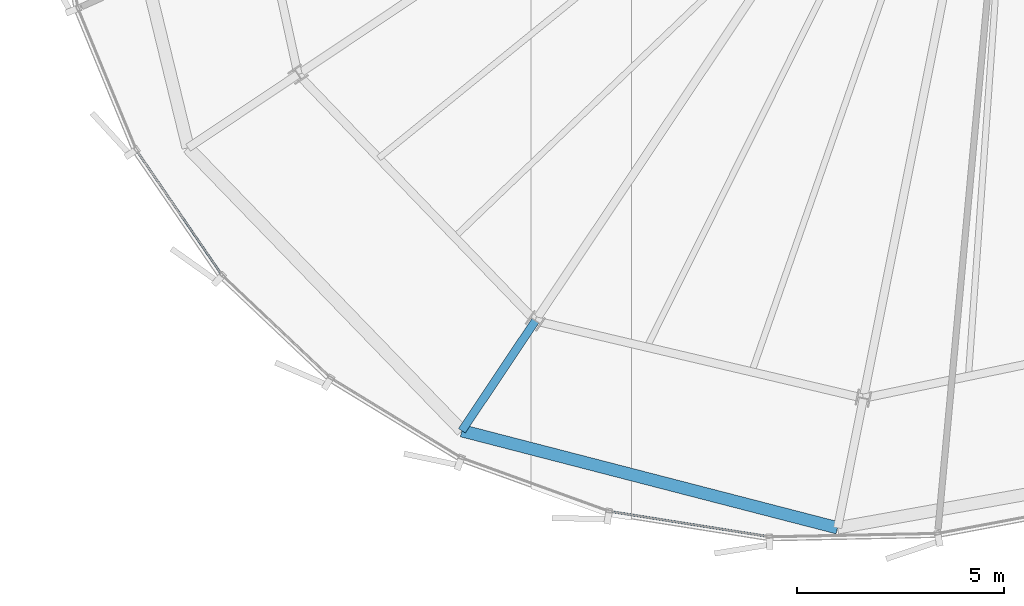
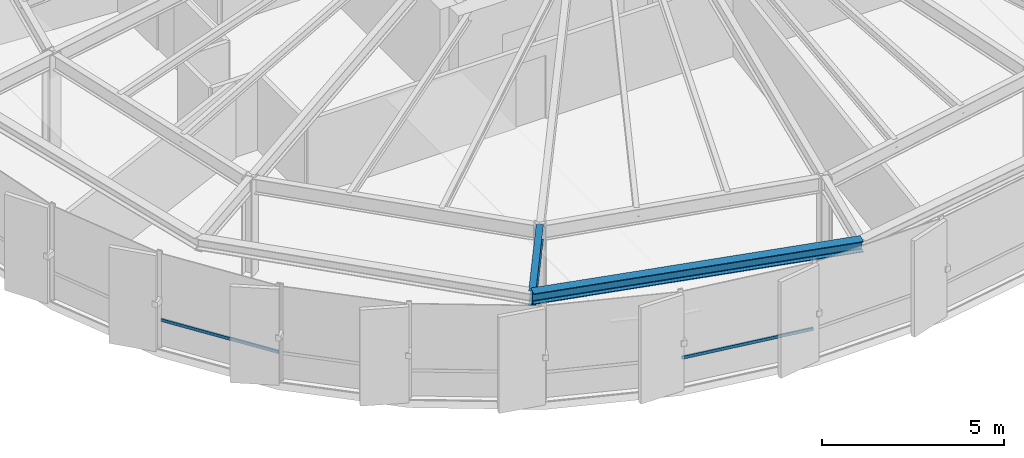
# One storey, part 3 of 36: 2 beams, 2 members, 2 elements without a shape of their own.
"""IFC4 building model written with IfcOpenShell, lengths in metres."""

from ifc_helpers import new_model, si_unit, direction, frame, origin, origin_2d, place, context, subcontext, project, spatial, hollow_rectangle, i_section, extrude, source, transform, mapped, material, layer, layer_set, material_profile, profile_set, type_object, element, aggregate, save


model = new_model("IFC4")

# Units and contexts
model_context = context("Model", 3, precision=1e-05, world=origin(), true_north=direction((0.0, 1.0)))
body_context = subcontext(model_context, "Body", "Model", "MODEL_VIEW")
ifc_project = project(units=[si_unit("LENGTHUNIT", "METRE"), si_unit("AREAUNIT", "SQUARE_METRE"), si_unit("VOLUMEUNIT", "CUBIC_METRE"), si_unit("PLANEANGLEUNIT", "RADIAN"), si_unit("MASSUNIT", "GRAM", prefix="KILO"), si_unit("THERMODYNAMICTEMPERATUREUNIT", "KELVIN")], contexts=[model_context])

# Site, building, storey
site_placement = place(None, origin())
site = spatial("IfcSite", under=ifc_project, at=site_placement, CompositionType="ELEMENT")
building_placement = place(site_placement, origin())
building = spatial("IfcBuilding", under=site, at=building_placement, Name="Kethvar Cultural Tower", CompositionType="ELEMENT")
storey_placement = place(building_placement, frame((0.0, 0.0, 197.39990234375)))
storey = spatial("IfcBuildingStorey", under=building, at=storey_placement, Name="L51", CompositionType="ELEMENT", Elevation=197.39990234375)

# Beams
ifc_material_1 = material(Name="Steel S355J2", Category="steel")
ifc_material_profile_1 = material_profile(ifc_material_1, i_section(OverallWidth=0.199951171875, OverallDepth=0.5, WebThickness=0.01025390625, FlangeThickness=0.01611328125, FilletRadius=0.02099609375, at=origin_2d()), Name="Steel S355J2 — IPE500")
ifc_profile_set_1 = profile_set([ifc_material_profile_1], Name="Steel S355J2 — IPE500")
beam_type_1 = type_object("IfcBeamType", Name="BM-IPE500", PredefinedType="BEAM", material=ifc_profile_set_1)
shared_shape_1 = source(origin(), body_context, "Body", "SweptSolid", [
    extrude(i_section(OverallWidth=0.199951171875, OverallDepth=0.5, WebThickness=0.01025390625, FlangeThickness=0.01611328125, FilletRadius=0.02099609375, at=origin_2d()), origin(), (0.0, 0.0, 1.0), 3.199951171875),
])
beam_1_placement = place(storey_placement, frame((34.962646484375, 10.084228515625, 3.008056640625), z_axis=(-0.555580212716, -0.831462943996, 0.0), x_axis=(0.831462943996, -0.555580212716, 0.0)))
element("IfcBeam", 1, at=beam_1_placement, inside=storey, type_object=beam_type_1, Name="L51 Perimeter Cantilever Beam RC-11", PredefinedType="BEAM", context=body_context, shape_type="MappedRepresentation", body=[
    mapped(shared_shape_1, transform((0.0, 0.0, 0.0), scale=1.0)),
])
ifc_material_profile_2 = material_profile(ifc_material_1, i_section(OverallWidth=0.300048828125, OverallDepth=0.360107421875, WebThickness=0.012451171875, FlangeThickness=0.0224609375, FilletRadius=0.027099609375, at=origin_2d()), Name="Steel S355J2 — HEB360")
ifc_profile_set_2 = profile_set([ifc_material_profile_2], Name="Steel S355J2 — HEB360")
beam_type_2 = type_object("IfcBeamType", Name="BM-SP360", PredefinedType="SPANDREL", material=ifc_profile_set_2)
shared_shape_2 = source(origin(), body_context, "Body", "SweptSolid", [
    extrude(i_section(OverallWidth=0.300048828125, OverallDepth=0.360107421875, WebThickness=0.012451171875, FlangeThickness=0.0224609375, FilletRadius=0.027099609375, at=origin_2d()), origin(), (0.0, 0.0, 1.0), 9.3935546875),
])
beam_2_placement = place(storey_placement, frame((33.184814453125, 7.423583984375, 3.078125), z_axis=(0.968171347754, -0.250288316525, 0.0), x_axis=(0.250288316525, 0.968171347754, 0.0)))
element("IfcBeam", 2, at=beam_2_placement, inside=storey, type_object=beam_type_2, Name="L51 Perimeter Spandrel Beam SP-11", PredefinedType="SPANDREL", context=body_context, shape_type="MappedRepresentation", body=[
    mapped(shared_shape_2, transform((0.0, 0.0, 0.0), scale=1.0)),
])

# Curtain wall, member
ifc_material_2 = material(Name="Aluminium 6063-T6", Category="aluminium")
ifc_layer = layer(ifc_material_2, 0.179931640625, Name="Aluminium 6063-T6", Category="aluminium")
ifc_layer_set = layer_set([ifc_layer], Name="Aluminium 6063-T6 (180 mm)")
curtain_wall_type = type_object("IfcCurtainWallType", Name="CW-SYS-04-Z34", PredefinedType="NOTDEFINED", material=ifc_layer_set)
curtain_wall_1_placement = place(storey_placement, origin())
curtain_wall_1 = element("IfcCurtainWall", 3, at=curtain_wall_1_placement, inside=storey, type_object=curtain_wall_type, Name="L51 Curtain Wall Run 04", PredefinedType="NOTDEFINED")
ifc_material_profile_3 = material_profile(ifc_material_2, hollow_rectangle(XDim=0.050048828125, YDim=0.10009765625, WallThickness=0.00390625, at=origin_2d()), Name="Aluminium 6063-T6 — RHS100x50x4")
ifc_profile_set_3 = profile_set([ifc_material_profile_3], Name="Aluminium 6063-T6 — RHS100x50x4")
member_type = type_object("IfcMemberType", Name="CW-SYS-04-Z34-TRN", PredefinedType="USERDEFINED", material=ifc_profile_set_3)
shared_shape_3 = source(origin(), body_context, "Body", "SweptSolid", [
    extrude(hollow_rectangle(XDim=0.050048828125, YDim=0.10009765625, WallThickness=0.00390625, at=origin_2d()), origin(), (0.0, 0.0, 1.0), 3.864501953125),
])
member_1_placement = place(storey_placement, frame((36.79052734375, 5.467041015625, 0.9501953125), z_axis=(0.987699879072, -0.156361596565, 0.0), x_axis=(0.156361596565, 0.987699879072, 0.0)))
member_1 = element("IfcMember", 4, at=member_1_placement, type_object=member_type, Name="CW-L51-R04 Transom 4", ObjectType="TRANSOM", PredefinedType="USERDEFINED", context=body_context, shape_type="MappedRepresentation", body=[
    mapped(shared_shape_3, transform((0.0, 0.0, 0.0), scale=1.0)),
])
aggregate(curtain_wall_1, [member_1])

curtain_wall_2_placement = place(storey_placement, origin())
curtain_wall_2 = element("IfcCurtainWall", 5, at=curtain_wall_2_placement, inside=storey, type_object=curtain_wall_type, Name="L51 Curtain Wall Run 03", PredefinedType="NOTDEFINED")
shared_shape_4 = source(origin(), body_context, "Body", "SweptSolid", [
    extrude(hollow_rectangle(XDim=0.050048828125, YDim=0.10009765625, WallThickness=0.00390625, at=origin_2d()), origin(), (0.0, 0.0, 1.0), 3.588134765625),
])
member_2_placement = place(storey_placement, frame((25.322509765625, 14.189453125, 0.9501953125), z_axis=(0.565098522496, -0.825023429893, 0.0), x_axis=(0.825023429893, 0.565098522496, 0.0)))
member_2 = element("IfcMember", 6, at=member_2_placement, type_object=member_type, Name="CW-L51-R03 Transom 6", ObjectType="TRANSOM", PredefinedType="USERDEFINED", context=body_context, shape_type="MappedRepresentation", body=[
    mapped(shared_shape_4, transform((0.0, 0.0, 0.0), scale=1.0)),
])
aggregate(curtain_wall_2, [member_2])

save(model, "model.ifc")
